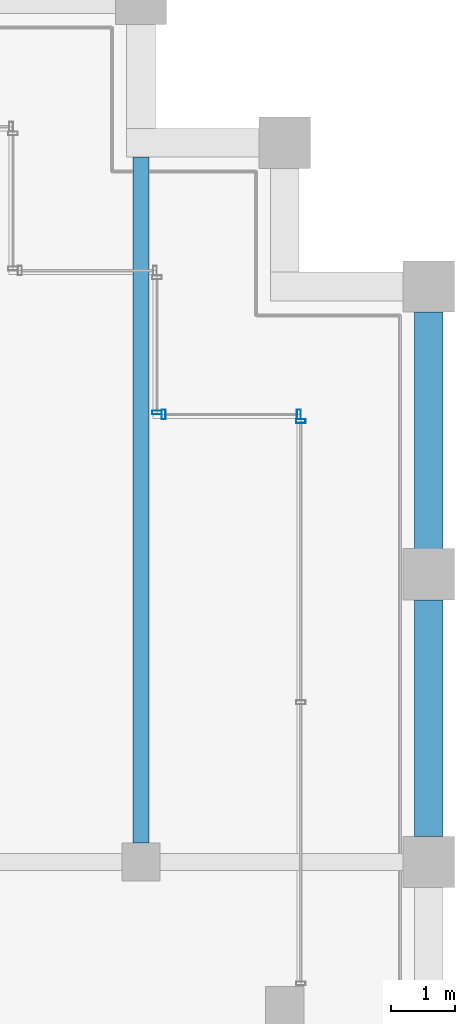
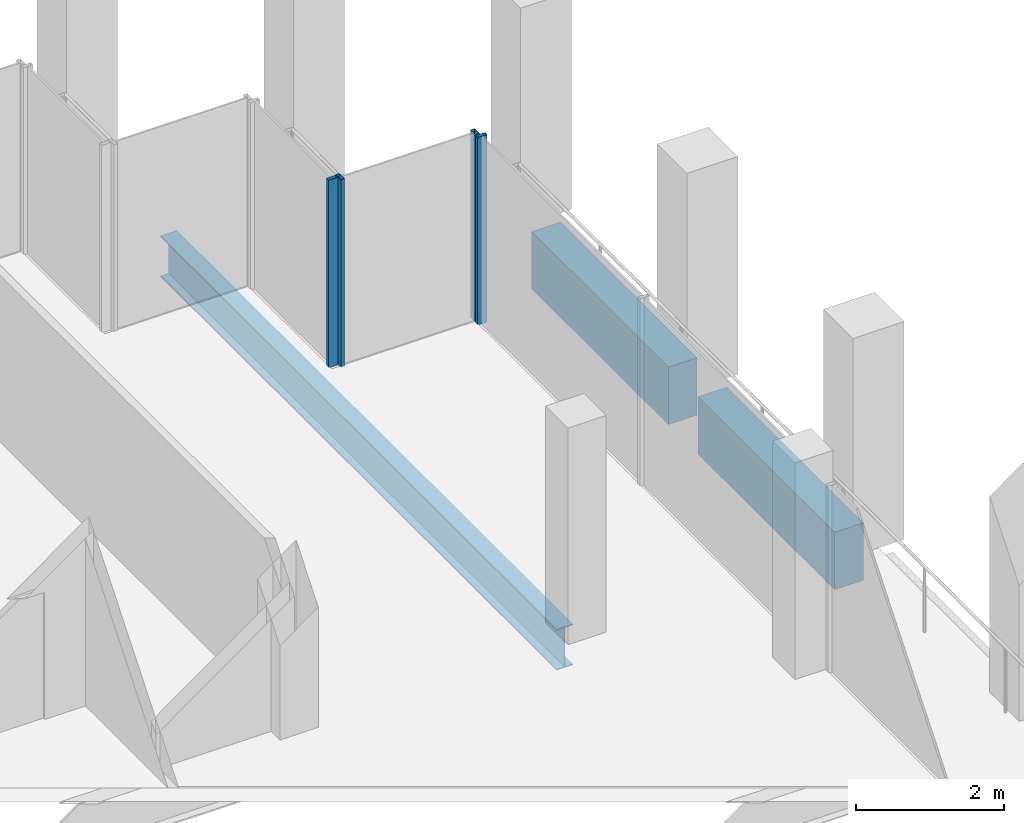
# One storey, part 25 of 30: 4 members, 3 beams, 3 elements without a shape of their own.
"""IFC4 building model written with IfcOpenShell, lengths in metres."""

from ifc_helpers import new_model, si_unit, direction, frame, origin, origin_2d, place, context, subcontext, project, spatial, rectangle, hollow_rectangle, i_section, extrude, material, material_profile, profile_set, type_object, element, aggregate, save


model = new_model("IFC4")

# Units and contexts
model_context = context("Model", 3, precision=1e-05, world=origin(), true_north=direction((0.0, 1.0)))
body_context = subcontext(model_context, "Body", "Model", "MODEL_VIEW")
ifc_project = project(units=[si_unit("LENGTHUNIT", "METRE"), si_unit("AREAUNIT", "SQUARE_METRE"), si_unit("VOLUMEUNIT", "CUBIC_METRE"), si_unit("PLANEANGLEUNIT", "RADIAN"), si_unit("MASSUNIT", "GRAM", prefix="KILO")], contexts=[model_context])

# Site, building, storey
site_placement = place(None, origin())
site = spatial("IfcSite", under=ifc_project, at=site_placement, CompositionType="ELEMENT")
building_placement = place(site_placement, origin())
building = spatial("IfcBuilding", under=site, at=building_placement, Name="Altepetl Exchange Towers", CompositionType="ELEMENT")
storey_placement = place(building_placement, frame((0.0, 0.0, 224.39990234375)))
storey = spatial("IfcBuildingStorey", under=building, at=storey_placement, Name="L57", CompositionType="ELEMENT", Elevation=224.39990234375)

# Beam
ifc_material_1 = material(Name="Steel S355", Category="steel")
ifc_material_profile_1 = material_profile(ifc_material_1, i_section(OverallWidth=0.2529296875, OverallDepth=0.677978515625, WebThickness=0.01171875, FlangeThickness=0.016357421875, at=origin_2d()), Name="W27X84")
ifc_profile_set_1 = profile_set([ifc_material_profile_1], Name="Steel S355")
beam_type_1 = type_object("IfcBeamType", Name="Floor beam W27X84", PredefinedType="BEAM", material=ifc_profile_set_1)
beam_placement = place(storey_placement, frame((67.5, 58.800048828125, -0.489013671875), z_axis=(0.0, 1.0, 0.0), x_axis=(-1.0, 0.0, 0.0)))
element("IfcBeam", 1, at=beam_placement, inside=storey, type_object=beam_type_1, Name="bm:A:L57:005", PredefinedType="BEAM", context=body_context, shape_type="SweptSolid", body=[
    extrude(i_section(OverallWidth=0.2529296875, OverallDepth=0.677978515625, WebThickness=0.01171875, FlangeThickness=0.016357421875, at=origin_2d()), origin(), (0.0, 0.0, 1.0), 10.724853515625),
])

# Curtain wall, member
ifc_material_2 = material(Name="Aluminium 6063-T6 glazing", Category="aluminium")
curtain_wall_type = type_object("IfcCurtainWallType", Name="Loggia glazing system", PredefinedType="NOTDEFINED", material=ifc_material_2)
curtain_wall_1_placement = place(storey_placement, origin())
curtain_wall_1 = element("IfcCurtainWall", 2, at=curtain_wall_1_placement, inside=storey, type_object=curtain_wall_type, Name="CW1 run", PredefinedType="NOTDEFINED")
ifc_material_3 = material(Name="Aluminium 6063-T6", Category="aluminium")
ifc_material_profile_2 = material_profile(ifc_material_3, hollow_rectangle(XDim=0.06005859375, YDim=0.14990234375, WallThickness=0.0029296875, at=origin_2d()), Name="Mullion 60x150 aluminium")
ifc_profile_set_2 = profile_set([ifc_material_profile_2], Name="Aluminium 6063-T6")
member_type = type_object("IfcMemberType", Name="Mullion 60x150 aluminium", PredefinedType="MULLION", material=ifc_profile_set_2)
member_1_placement = place(storey_placement, frame((70.0, 65.39501953125, 0.0), z_axis=(0.0, 0.0, 1.0), x_axis=(0.0, 1.0, 0.0)))
member_1 = element("IfcMember", 3, at=member_1_placement, type_object=member_type, Name="MU1 mullion", PredefinedType="MULLION", context=body_context, shape_type="SweptSolid", body=[
    extrude(hollow_rectangle(XDim=0.06005859375, YDim=0.14990234375, WallThickness=0.0029296875, at=origin_2d()), origin(), (0.0, 0.0, 1.0), 3.10009765625),
])
aggregate(curtain_wall_1, [member_1])

# Curtain wall, members
curtain_wall_2_placement = place(storey_placement, origin())
curtain_wall_2 = element("IfcCurtainWall", 4, at=curtain_wall_2_placement, inside=storey, type_object=curtain_wall_type, Name="CW1 run", PredefinedType="NOTDEFINED")
member_2_placement = place(storey_placement, frame((69.969970703125, 65.5, 0.0), z_axis=(0.0, 0.0, 1.0), x_axis=(-1.0, 0.0, 0.0)))
member_2 = element("IfcMember", 5, at=member_2_placement, type_object=member_type, Name="MU1 mullion", PredefinedType="MULLION", context=body_context, shape_type="SweptSolid", body=[
    extrude(hollow_rectangle(XDim=0.06005859375, YDim=0.14990234375, WallThickness=0.0029296875, at=origin_2d()), origin(), (0.0, 0.0, 1.0), 3.10009765625),
])
member_3_placement = place(storey_placement, frame((67.85498046875, 65.5, 0.0), z_axis=(0.0, 0.0, 1.0), x_axis=(-1.0, 0.0, 0.0)))
member_3 = element("IfcMember", 6, at=member_3_placement, type_object=member_type, Name="MU1 mullion", PredefinedType="MULLION", context=body_context, shape_type="SweptSolid", body=[
    extrude(hollow_rectangle(XDim=0.06005859375, YDim=0.14990234375, WallThickness=0.0029296875, at=origin_2d()), origin(), (0.0, 0.0, 1.0), 3.10009765625),
])
aggregate(curtain_wall_2, [member_2, member_3])

# Curtain wall, member
curtain_wall_3_placement = place(storey_placement, origin())
curtain_wall_3 = element("IfcCurtainWall", 7, at=curtain_wall_3_placement, inside=storey, type_object=curtain_wall_type, Name="CW1 run", PredefinedType="NOTDEFINED")
member_4_placement = place(storey_placement, frame((67.75, 65.530029296875, 0.0), z_axis=(0.0, 0.0, 1.0), x_axis=(0.0, 1.0, 0.0)))
member_4 = element("IfcMember", 8, at=member_4_placement, type_object=member_type, Name="MU1 mullion", PredefinedType="MULLION", context=body_context, shape_type="SweptSolid", body=[
    extrude(hollow_rectangle(XDim=0.06005859375, YDim=0.14990234375, WallThickness=0.0029296875, at=origin_2d()), origin(), (0.0, 0.0, 1.0), 3.10009765625),
])
aggregate(curtain_wall_3, [member_4])

# Beams
ifc_material_4 = material(Name="Concrete C50/60 precast with cantera rosa facing", Category="concrete")
ifc_material_profile_3 = material_profile(ifc_material_4, rectangle(XDim=0.449951171875, YDim=0.949951171875, at=origin_2d()), Name="450 x 950")
ifc_profile_set_3 = profile_set([ifc_material_profile_3], Name="Concrete C50/60 precast with cantera rosa facing")
beam_type_2 = type_object("IfcBeamType", Name="Spandrel beam 450x950 cantera rosa", PredefinedType="SPANDREL", material=ifc_profile_set_3)
for number, where, z_axis, x_axis, name in (
    (9, (72.0, 58.89990234375, -0.625), (0.0, 1.0, 0.0), (-1.0, 0.0, 0.0), "sp:A:L57:018"),
    (10, (72.0, 63.39990234375, -0.625), (0.0, 1.0, 0.0), (-1.0, 0.0, 0.0), "sp:A:L57:019"),
):
    element("IfcBeam", number, at=place(storey_placement, frame(where, z_axis=z_axis, x_axis=x_axis)), inside=storey, type_object=beam_type_2, Name=name, PredefinedType="SPANDREL", context=body_context, shape_type="SweptSolid", body=[
        extrude(rectangle(XDim=0.449951171875, YDim=0.949951171875, at=origin_2d()), origin(), (0.0, 0.0, 1.0), 3.7001953125),
    ])

save(model, "model.ifc")
